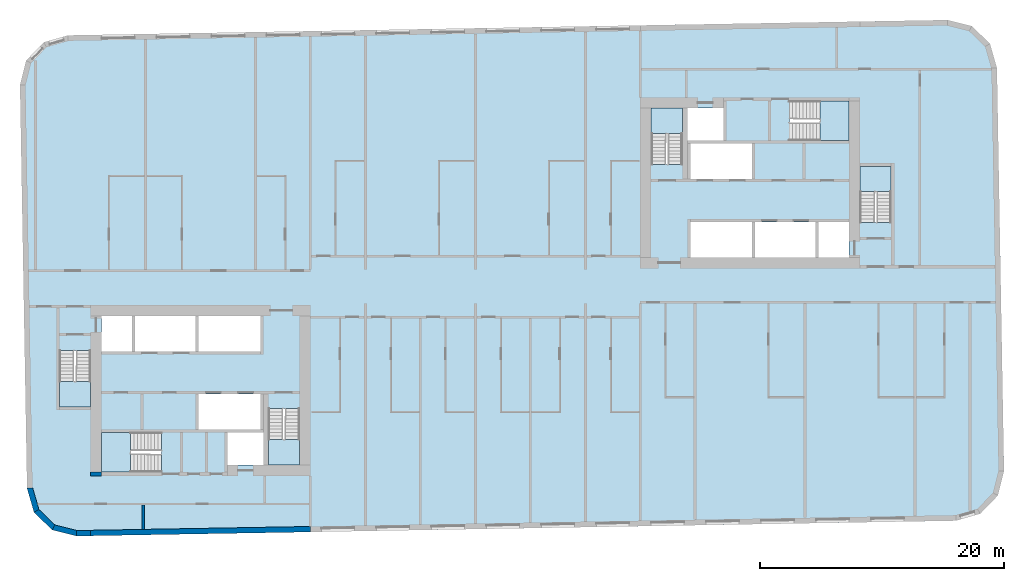
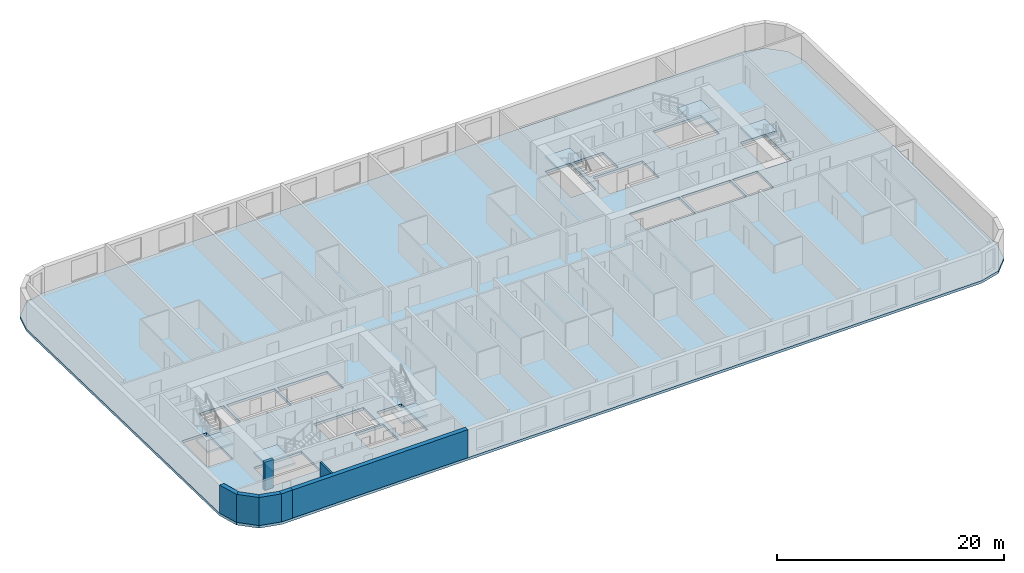
# One storey, part 1 of 11: 7 slabs, 7 walls, 6 elements without a shape of their own.
"""IFC4 building model written with IfcOpenShell, lengths in metres."""

from ifc_helpers import new_model, si_unit, direction, frame, frame_2d, origin, place, context, subcontext, project, spatial, polyline, rectangle, outline, extrude, material, layer, layer_set, type_object, element, aggregate, save


model = new_model("IFC4")

# Units and contexts
model_context = context("Model", 3, precision=1e-05, world=origin(), true_north=direction((0.0, 1.0)))
body_context = subcontext(model_context, "Body", "Model", "MODEL_VIEW")
ifc_project = project(units=[si_unit("LENGTHUNIT", "METRE"), si_unit("AREAUNIT", "SQUARE_METRE"), si_unit("VOLUMEUNIT", "CUBIC_METRE"), si_unit("PLANEANGLEUNIT", "RADIAN"), si_unit("MASSUNIT", "GRAM", prefix="KILO")], contexts=[model_context])

# Site, building, storey
site_placement = place(None, origin())
site = spatial("IfcSite", under=ifc_project, at=site_placement, CompositionType="ELEMENT")
building_placement = place(site_placement, origin())
building = spatial("IfcBuilding", under=site, at=building_placement, Name="Kajstack Hotel Tower", CompositionType="ELEMENT")
storey_placement = place(building_placement, frame((0.0, 0.0, 244.10009765625)))
storey = spatial("IfcBuildingStorey", under=building, at=storey_placement, Name="L60", CompositionType="ELEMENT", Elevation=244.10009765625)

# Slab
ifc_material_1 = material(Name="Concrete C40/50", Category="concrete")
ifc_layer_1 = layer(ifc_material_1, 0.280029296875)
ifc_layer_set_1 = layer_set([ifc_layer_1], Name="RC slab 280 C40/50 guest")
slab_type_1 = type_object("IfcSlabType", Name="RC slab 280 C40/50 guest", PredefinedType="FLOOR", material=ifc_layer_set_1)
slab_1_placement = place(storey_placement, frame((0.0, 0.0, -0.280029296875)))
element("IfcSlab", 1, at=slab_1_placement, inside=storey, type_object=slab_type_1, Name="S-slab-L60", PredefinedType="FLOOR", context=body_context, shape_type="SweptSolid", body=[
    extrude(outline(polyline([(-37.281982421875, 16.49951171875), (-36.705810546875, -16.49560546875), (-36.13525390625, -18.48583984375), (-34.645751953125, -19.92431640625), (-32.63671875, -20.42529296875), (39.352294921875, -19.168701171875), (41.342529296875, -18.597900390625), (42.781005859375, -17.1083984375), (43.281982421875, -15.099365234375), (42.705810546875, 17.8955078125), (42.13525390625, 19.885986328125), (40.645751953125, 21.32421875), (38.63671875, 21.8251953125), (-33.352294921875, 20.568603515625), (-35.342529296875, 19.997802734375), (-36.781005859375, 18.50830078125), (-37.281982421875, 16.49951171875)]), holes=[polyline([(-22.64990234375, -11.699951171875), (-22.64990234375, -8.800048828125), (-17.60009765625, -8.800048828125), (-17.60009765625, -11.699951171875), (-22.64990234375, -11.699951171875)]), polyline([(-27.85009765625, -5.300048828125), (-27.85009765625, -2.39990234375), (-22.89990234375, -2.39990234375), (-22.89990234375, -5.300048828125), (-27.85009765625, -5.300048828125)]), polyline([(-22.64990234375, -5.300048828125), (-22.64990234375, -2.39990234375), (-17.60009765625, -2.39990234375), (-17.60009765625, -5.300048828125), (-22.64990234375, -5.300048828125)]), polyline([(-20.300048828125, -14.60009765625), (-17.35009765625, -14.60009765625), (-17.35009765625, -11.949951171875), (-20.300048828125, -11.949951171875), (-20.300048828125, -14.60009765625)]), polyline([(-30.60009765625, -5.300048828125), (-28.10009765625, -5.300048828125), (-28.10009765625, -2.39990234375), (-30.60009765625, -2.39990234375), (-30.60009765625, -5.300048828125)]), polyline([(17.60009765625, 8.800048828125), (17.60009765625, 11.699951171875), (22.64990234375, 11.699951171875), (22.64990234375, 8.800048828125), (17.60009765625, 8.800048828125)]), polyline([(22.89990234375, 2.39990234375), (22.89990234375, 5.300048828125), (27.85009765625, 5.300048828125), (27.85009765625, 2.39990234375), (22.89990234375, 2.39990234375)]), polyline([(17.60009765625, 2.39990234375), (17.60009765625, 5.300048828125), (22.64990234375, 5.300048828125), (22.64990234375, 2.39990234375), (17.60009765625, 2.39990234375)]), polyline([(20.300048828125, 14.60009765625), (17.35009765625, 14.60009765625), (17.35009765625, 11.949951171875), (20.300048828125, 11.949951171875), (20.300048828125, 14.60009765625)]), polyline([(30.60009765625, 5.300048828125), (28.10009765625, 5.300048828125), (28.10009765625, 2.39990234375), (30.60009765625, 2.39990234375), (30.60009765625, 5.300048828125)]), polyline([(-34.050048828125, -9.85009765625), (-31.5, -9.85009765625), (-31.5, -5.25), (-34.050048828125, -5.25), (-34.050048828125, -9.85009765625)]), polyline([(-16.949951171875, -14.60009765625), (-14.39990234375, -14.60009765625), (-14.39990234375, -10.0), (-16.949951171875, -10.0), (-16.949951171875, -14.60009765625)]), polyline([(-30.60009765625, -15.199951171875), (-25.699951171875, -15.199951171875), (-25.699951171875, -11.949951171875), (-30.60009765625, -11.949951171875), (-30.60009765625, -15.199951171875)]), polyline([(34.050048828125, 9.85009765625), (31.5, 9.85009765625), (31.5, 5.25), (34.050048828125, 5.25), (34.050048828125, 9.85009765625)]), polyline([(16.949951171875, 14.60009765625), (14.39990234375, 14.60009765625), (14.39990234375, 10.0), (16.949951171875, 10.0), (16.949951171875, 14.60009765625)]), polyline([(30.60009765625, 15.199951171875), (25.699951171875, 15.199951171875), (25.699951171875, 11.949951171875), (30.60009765625, 11.949951171875), (30.60009765625, 15.199951171875)])]), origin(), (0.0, 0.0, 1.0), 0.280029296875),
])

# Stair, slab
stair_type_1 = type_object("IfcStairType", Name="Exit stair 1200", PredefinedType="HALF_TURN_STAIR", material=ifc_material_1)
stair_1_placement = place(storey_placement, origin())
stair_1 = element("IfcStair", 2, at=stair_1_placement, inside=storey, type_object=stair_type_1, Name="L60 stair W1", PredefinedType="HALF_TURN_STAIR")
ifc_layer_2 = layer(ifc_material_1, 0.199951171875)
ifc_layer_set_2 = layer_set([ifc_layer_2], Name="Stair landing 200")
slab_type_2 = type_object("IfcSlabType", Name="Stair landing 200", PredefinedType="LANDING", material=ifc_layer_set_2)
slab_2_placement = place(storey_placement, frame((0.0, 0.0, 1.449951171875)))
slab_2 = element("IfcSlab", 3, at=slab_2_placement, type_object=slab_type_2, Name="W1 landing 1", PredefinedType="LANDING", context=body_context, shape_type="SweptSolid", body=[
    extrude(outline(polyline([(-34.050048828125, -7.77001953125), (-34.050048828125, -9.85009765625), (-31.5, -9.85009765625), (-31.5, -7.77001953125), (-34.050048828125, -7.77001953125)])), origin(), (0.0, 0.0, 1.0), 0.199951171875),
])
aggregate(stair_1, [slab_2])

stair_2_placement = place(storey_placement, origin())
stair_2 = element("IfcStair", 4, at=stair_2_placement, inside=storey, type_object=stair_type_1, Name="L60 stair W2", PredefinedType="HALF_TURN_STAIR")
slab_3_placement = place(storey_placement, frame((0.0, 0.0, 1.449951171875)))
slab_3 = element("IfcSlab", 5, at=slab_3_placement, type_object=slab_type_2, Name="W2 landing 1", PredefinedType="LANDING", context=body_context, shape_type="SweptSolid", body=[
    extrude(outline(polyline([(-16.949951171875, -12.52001953125), (-16.949951171875, -14.60009765625), (-14.39990234375, -14.60009765625), (-14.39990234375, -12.52001953125), (-16.949951171875, -12.52001953125)])), origin(), (0.0, 0.0, 1.0), 0.199951171875),
])
aggregate(stair_2, [slab_3])

stair_type_2 = type_object("IfcStairType", Name="Exit stair 1500", PredefinedType="HALF_TURN_STAIR", material=ifc_material_1)
stair_3_placement = place(storey_placement, origin())
stair_3 = element("IfcStair", 6, at=stair_3_placement, inside=storey, type_object=stair_type_2, Name="L60 stair W3", PredefinedType="HALF_TURN_STAIR")
slab_4_placement = place(storey_placement, frame((0.0, 0.0, 1.449951171875)))
slab_4 = element("IfcSlab", 7, at=slab_4_placement, type_object=slab_type_2, Name="W3 landing 1", PredefinedType="LANDING", context=body_context, shape_type="SweptSolid", body=[
    extrude(outline(polyline([(-28.219970703125, -11.949951171875), (-30.60009765625, -11.949951171875), (-30.60009765625, -15.199951171875), (-28.219970703125, -15.199951171875), (-28.219970703125, -11.949951171875)])), origin(), (0.0, 0.0, 1.0), 0.199951171875),
])
aggregate(stair_3, [slab_4])

stair_4_placement = place(storey_placement, origin())
stair_4 = element("IfcStair", 8, at=stair_4_placement, inside=storey, type_object=stair_type_1, Name="L60 stair E1", PredefinedType="HALF_TURN_STAIR")
slab_5_placement = place(storey_placement, frame((0.0, 0.0, 1.449951171875)))
slab_5 = element("IfcSlab", 9, at=slab_5_placement, type_object=slab_type_2, Name="E1 landing 1", PredefinedType="LANDING", context=body_context, shape_type="SweptSolid", body=[
    extrude(outline(polyline([(34.050048828125, 7.77001953125), (34.050048828125, 9.85009765625), (31.5, 9.85009765625), (31.5, 7.77001953125), (34.050048828125, 7.77001953125)])), origin(), (0.0, 0.0, 1.0), 0.199951171875),
])
aggregate(stair_4, [slab_5])

stair_5_placement = place(storey_placement, origin())
stair_5 = element("IfcStair", 10, at=stair_5_placement, inside=storey, type_object=stair_type_1, Name="L60 stair E2", PredefinedType="HALF_TURN_STAIR")
slab_6_placement = place(storey_placement, frame((0.0, 0.0, 1.449951171875)))
slab_6 = element("IfcSlab", 11, at=slab_6_placement, type_object=slab_type_2, Name="E2 landing 1", PredefinedType="LANDING", context=body_context, shape_type="SweptSolid", body=[
    extrude(outline(polyline([(16.949951171875, 12.52001953125), (16.949951171875, 14.60009765625), (14.39990234375, 14.60009765625), (14.39990234375, 12.52001953125), (16.949951171875, 12.52001953125)])), origin(), (0.0, 0.0, 1.0), 0.199951171875),
])
aggregate(stair_5, [slab_6])

stair_6_placement = place(storey_placement, origin())
stair_6 = element("IfcStair", 12, at=stair_6_placement, inside=storey, type_object=stair_type_2, Name="L60 stair E3", PredefinedType="HALF_TURN_STAIR")
slab_7_placement = place(storey_placement, frame((0.0, 0.0, 1.449951171875)))
slab_7 = element("IfcSlab", 13, at=slab_7_placement, type_object=slab_type_2, Name="E3 landing 1", PredefinedType="LANDING", context=body_context, shape_type="SweptSolid", body=[
    extrude(outline(polyline([(28.219970703125, 11.949951171875), (30.60009765625, 11.949951171875), (30.60009765625, 15.199951171875), (28.219970703125, 15.199951171875), (28.219970703125, 11.949951171875)])), origin(), (0.0, 0.0, 1.0), 0.199951171875),
])
aggregate(stair_6, [slab_7])

# Walls
ifc_material_2 = material(Name="Concrete C60/75", Category="concrete")
ifc_layer_3 = layer(ifc_material_2, 0.89990234375)
ifc_layer_set_3 = layer_set([ifc_layer_3], Name="Core wall 900")
wall_type_1 = type_object("IfcWallType", Name="Core wall 900", PredefinedType="SHEAR", material=ifc_layer_set_3)
wall_1_placement = place(storey_placement, frame((-31.5, -15.35009765625, 0.0), z_axis=(0.0, 0.0, 1.0), x_axis=(1.0, 0.0, 0.0)))
element("IfcWall", 14, at=wall_1_placement, inside=storey, type_object=wall_type_1, Name="Core wall W RSW", PredefinedType="SHEAR", context=body_context, shape_type="SweptSolid", body=[
    extrude(rectangle(XDim=0.89990234375, YDim=0.300048828125, at=frame_2d((0.449951171875, 0.0))), origin(), (0.0, 0.0, 1.0), 3.02001953125),
])
ifc_layer_4 = layer(ifc_material_1, 0.449951171875)
ifc_layer_set_4 = layer_set([ifc_layer_4], Name="EW-CORE")
wall_type_2 = type_object("IfcWallType", Name="EW-CORE", PredefinedType="SOLIDWALL", material=ifc_layer_set_4)
wall_2_placement = place(storey_placement, frame((-31.50390625, -20.180419921875, 0.0), z_axis=(0.0, 0.0, 1.0), x_axis=(0.999847677887, 0.017453395744, 0.0)))
element("IfcWall", 15, at=wall_2_placement, inside=storey, type_object=wall_type_2, Name="E-wall-L60-04-01", PredefinedType="SOLIDWALL", context=body_context, shape_type="SweptSolid", body=[
    extrude(rectangle(XDim=18.002685546875, YDim=0.449951171875, at=frame_2d((9.00146484375, 0.0))), origin(), (0.0, 0.0, 1.0), 3.02001953125),
])
ifc_material_3 = material(Name="Terracotta-faced brick masonry", Category="masonry")
ifc_layer_5 = layer(ifc_material_3, 0.449951171875)
ifc_layer_set_5 = layer_set([ifc_layer_5], Name="EW-TERRA")
wall_type_3 = type_object("IfcWallType", Name="EW-TERRA", PredefinedType="SOLIDWALL", material=ifc_layer_set_5)
wall_3_placement = place(storey_placement, frame((-36.489501953125, -16.43359375, 0.0), z_axis=(0.0, 0.0, 1.0), x_axis=(0.275577603096, -0.961278827745, 0.0)))
element("IfcWall", 16, at=wall_3_placement, inside=storey, type_object=wall_type_3, Name="E-wall-L60-01-00", PredefinedType="SOLIDWALL", context=body_context, shape_type="SweptSolid", body=[
    extrude(outline(polyline([(0.0, -0.22509765625), (2.070556640625, -0.22509765625), (1.949951171875, 0.22509765625), (0.12060546875, 0.224853515625), (0.0, -0.22509765625)])), origin(), (0.0, 0.0, 1.0), 3.02001953125),
])
wall_4_placement = place(storey_placement, frame((-35.97900390625, -18.323974609375, 0.0), z_axis=(0.0, 0.0, 1.0), x_axis=(0.719320193998, -0.694678672846, 0.0)))
element("IfcWall", 17, at=wall_4_placement, inside=storey, type_object=wall_type_3, Name="E-wall-L60-02-00", PredefinedType="SOLIDWALL", context=body_context, shape_type="SweptSolid", body=[
    extrude(outline(polyline([(0.000244140625, -0.22509765625), (2.07080078125, -0.22509765625), (1.9501953125, 0.22509765625), (0.12060546875, 0.22509765625), (0.000244140625, -0.22509765625)])), origin(), (0.0, 0.0, 1.0), 3.02001953125),
])
wall_5_placement = place(storey_placement, frame((-34.59130859375, -19.7060546875, 0.0), z_axis=(0.0, 0.0, 1.0), x_axis=(0.970315655375, -0.241841950319, 0.0)))
element("IfcWall", 18, at=wall_5_placement, inside=storey, type_object=wall_type_3, Name="E-wall-L60-03-00", PredefinedType="SOLIDWALL", context=body_context, shape_type="SweptSolid", body=[
    extrude(outline(polyline([(0.0, -0.224853515625), (2.070556640625, -0.22509765625), (1.949951171875, 0.224853515625), (0.12060546875, 0.22509765625), (0.0, -0.224853515625)])), origin(), (0.0, 0.0, 1.0), 3.02001953125),
])
wall_6_placement = place(storey_placement, frame((-32.640625, -20.2001953125, 0.0), z_axis=(0.0, 0.0, 1.0), x_axis=(0.99984870815, 0.017394275206, 0.0)))
element("IfcWall", 19, at=wall_6_placement, inside=storey, type_object=wall_type_3, Name="E-wall-L60-04-00", PredefinedType="SOLIDWALL", context=body_context, shape_type="SweptSolid", body=[
    extrude(rectangle(XDim=1.136962890625, YDim=0.449951171875, at=frame_2d((0.568359375, 0.0))), origin(), (0.0, 0.0, 1.0), 3.02001953125),
])
ifc_material_4 = material(Name="Gypsum board on steel studs, mineral wool", Category="steel")
ifc_layer_6 = layer(ifc_material_4, 0.199951171875)
ifc_layer_set_6 = layer_set([ifc_layer_6], Name="Service partition 200")
wall_type_4 = type_object("IfcWallType", Name="Service partition 200", PredefinedType="PARTITIONING", material=ifc_layer_set_6)
wall_7_placement = place(storey_placement, frame((-27.199951171875, -19.88037109375, 0.0), z_axis=(0.0, 0.0, 1.0), x_axis=(0.0, 1.0, 0.0)))
element("IfcWall", 20, at=wall_7_placement, inside=storey, type_object=wall_type_4, Name="Partition W SLP0", PredefinedType="PARTITIONING", context=body_context, shape_type="SweptSolid", body=[
    extrude(rectangle(XDim=1.98046875, YDim=0.199951171875, at=frame_2d((0.990234375, 0.0))), origin(), (0.0, 0.0, 1.0), 3.02001953125),
])

save(model, "model.ifc")
